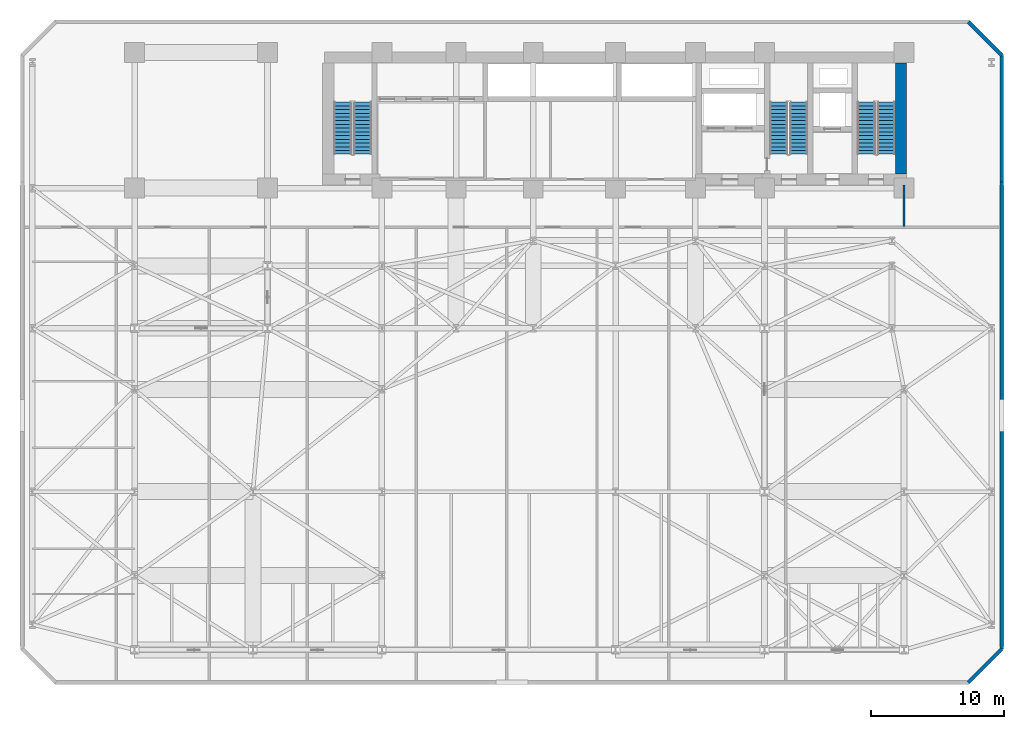
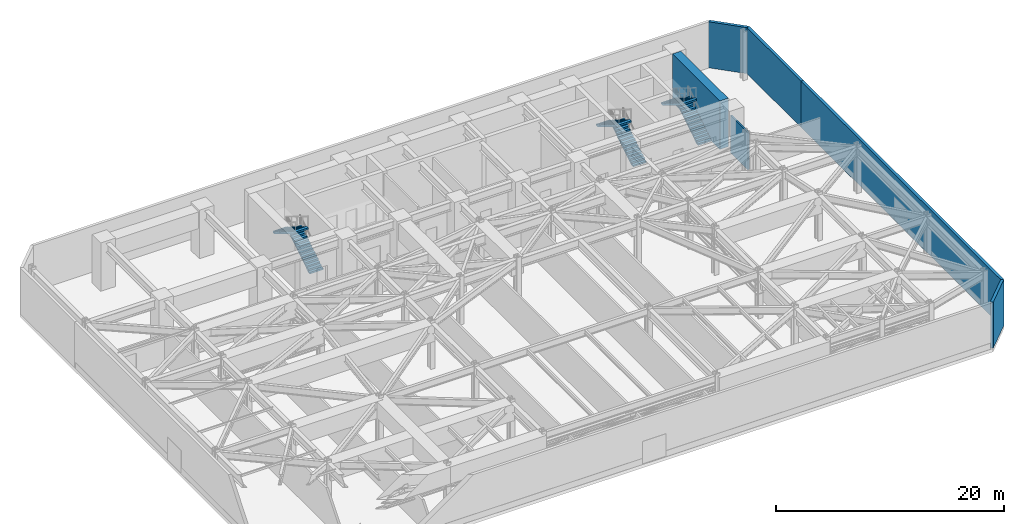
# One storey, part 9 of 14: 6 stair flights, 6 walls, 3 elements without a shape of their own.
"""IFC4 building model written with IfcOpenShell, lengths in metres."""

import ifcopenshell
import ifcopenshell.guid

model = None  # the IFC model being written
_history = None  # IfcOwnerHistory: only IFC2X3 demands one
_inside = {}  # id of a spatial element -> (the spatial element, [elements in it])
_under = {}  # id of a project, library or spatial element -> (it, [spatial elements below it])
_declared = {}  # id of a project -> (the project, [libraries it declares])
_typed = {}  # id of a type object -> (the type object, [elements of that type])
_made_of = {}  # id of a material, layer set ... -> (it, [elements and type objects made of it])


def new_model(schema):
    """Start an empty IFC model of exactly this schema.

    Asked for "IFC4X3", IfcOpenShell would pick the latest addendum, in which some entities
    have other attributes; the version numbers below select the first issue.
    IFC2X3 requires an IfcOwnerHistory on every rooted entity: one is made here for all.
    """
    global model, _history
    if schema == "IFC4X3":
        model = ifcopenshell.file(schema_version=(4, 3, 0, 0))
    else:
        model = ifcopenshell.file(schema=schema)
    _inside.clear()
    _under.clear()
    _declared.clear()
    _typed.clear()
    _made_of.clear()
    _history = None
    if model.schema == "IFC2X3":
        org = make("IfcOrganization", Name="unknown")
        user = make(
            "IfcPersonAndOrganization",
            ThePerson=make("IfcPerson", FamilyName="unknown"),
            TheOrganization=org,
        )
        app = make(
            "IfcApplication",
            ApplicationDeveloper=org,
            Version="unknown",
            ApplicationFullName="unknown",
            ApplicationIdentifier="unknown",
        )
        _history = make(
            "IfcOwnerHistory",
            OwningUser=user,
            OwningApplication=app,
            ChangeAction="ADDED",
            CreationDate=0,
        )
    return model


def make(cls, **values):
    """One entity of the class cls with the attributes given. An attribute that is None is left unset."""
    return model.create_entity(
        cls, **{name: value for name, value in values.items() if value is not None}
    )


def rooted(cls, **values):
    """An entity with a GlobalId (a new one), such as an element, a storey or a relation."""
    return make(cls, GlobalId=ifcopenshell.guid.new(), OwnerHistory=_history, **values)


def si_unit(unit_type, name, prefix=None):
    """IfcSIUnit, for example si_unit("LENGTHUNIT", "METRE", prefix="MILLI")."""
    return make("IfcSIUnit", UnitType=unit_type, Prefix=prefix, Name=name)


def assignment(units):
    """IfcUnitAssignment: the units of a project."""
    return None if units is None else make("IfcUnitAssignment", Units=units)


def point(xyz):
    """IfcCartesianPoint."""
    return None if xyz is None else make("IfcCartesianPoint", Coordinates=xyz)


def direction(xyz):
    """IfcDirection."""
    return None if xyz is None else make("IfcDirection", DirectionRatios=xyz)


def frame(location, z_axis=None, x_axis=None):
    """IfcAxis2Placement3D, a coordinate frame: its origin and axes. An axis left out is left unset."""
    return make(
        "IfcAxis2Placement3D",
        Location=point(location),
        Axis=direction(z_axis),
        RefDirection=direction(x_axis),
    )


def frame_2d(location, x_axis=None):
    """IfcAxis2Placement2D, a coordinate frame in the plane: its origin and x axis."""
    return make(
        "IfcAxis2Placement2D", Location=point(location), RefDirection=direction(x_axis)
    )


def origin():
    """The frame at (0, 0, 0) with its axes left unset."""
    return frame((0.0, 0.0, 0.0))


def place(relative_to, where):
    """IfcLocalPlacement: puts the frame where relative to a parent placement (None: the world)."""
    return make(
        "IfcLocalPlacement", PlacementRelTo=relative_to, RelativePlacement=where
    )


def context(
    kind, dimensions, precision=None, world=None, true_north=None, identifier=None
):
    """IfcGeometricRepresentationContext, for example the 3D "Model" context."""
    return make(
        "IfcGeometricRepresentationContext",
        ContextIdentifier=identifier,
        ContextType=kind,
        CoordinateSpaceDimension=dimensions,
        Precision=precision,
        WorldCoordinateSystem=world,
        TrueNorth=true_north,
    )


def subcontext(parent, identifier, kind, view, scale=None):
    """IfcGeometricRepresentationSubContext, for example "Body" below "Model"."""
    return make(
        "IfcGeometricRepresentationSubContext",
        ContextIdentifier=identifier,
        ContextType=kind,
        ParentContext=parent,
        TargetScale=scale,
        TargetView=view,
    )


def project(units=None, contexts=None):
    """IfcProject with its units and contexts."""
    return rooted(
        "IfcProject",
        Name="project",
        RepresentationContexts=contexts,
        UnitsInContext=assignment(units),
    )


def spatial(cls, under=None, at=None, **own):
    """A site, building, storey or space (cls), placed at a placement, below another one or the project."""
    s = rooted(cls, ObjectPlacement=at, **own)
    if under is not None:
        _under.setdefault(under.id(), (under, []))[1].append(s)
    return s


def polyline(points):
    """IfcPolyline through the points."""
    return make("IfcPolyline", Points=[point(p) for p in points])


def profile(cls, at=None, kind="AREA", **sizes):
    """A parametric profile (cls). Its sizes go by their IFC names, for example OverallWidth=200.0."""
    return make(cls, ProfileType=kind, Position=at, **sizes)


def rectangle(**sizes):
    """IfcRectangleProfileDef."""
    return profile("IfcRectangleProfileDef", **sizes)


def outline(outer, holes=None, kind="AREA"):
    """IfcArbitraryClosedProfileDef: a profile drawn as a closed curve; with holes, ...WithVoids."""
    if holes is None:
        return make("IfcArbitraryClosedProfileDef", ProfileType=kind, OuterCurve=outer)
    return make(
        "IfcArbitraryProfileDefWithVoids",
        ProfileType=kind,
        OuterCurve=outer,
        InnerCurves=holes,
    )


def extrude(swept, where, along, depth):
    """IfcExtrudedAreaSolid: the profile swept, set in the frame where, extruded along a direction by depth."""
    return make(
        "IfcExtrudedAreaSolid",
        SweptArea=swept,
        Position=where,
        ExtrudedDirection=direction(along),
        Depth=depth,
    )


def shape(context_of_items, identifier, shape_type, items):
    """IfcShapeRepresentation: the items that make up one representation, for example the "Body"."""
    return make(
        "IfcShapeRepresentation",
        ContextOfItems=context_of_items,
        RepresentationIdentifier=identifier,
        RepresentationType=shape_type,
        Items=items,
    )


def material(Name=None, Category=None):
    """IfcMaterial."""
    return make("IfcMaterial", Name=Name, Category=Category)


def layer(
    of_material, thickness, ventilated=None, Name=None, Category=None, Priority=None
):
    """IfcMaterialLayer: one layer of a wall or slab, of a material (None: an air gap)."""
    return make(
        "IfcMaterialLayer",
        Material=of_material,
        LayerThickness=thickness,
        IsVentilated=ventilated,
        Name=Name,
        Category=Category,
        Priority=Priority,
    )


def layer_set(layers, Name=None):
    """IfcMaterialLayerSet."""
    return make("IfcMaterialLayerSet", MaterialLayers=layers, LayerSetName=Name)


def made_of(thing, what):
    """Note that an element or type object is made of a material, layer set ...; save() writes the relation."""
    if what is not None:
        _made_of.setdefault(what.id(), (what, []))[1].append(thing)
    return thing


def type_object(cls, material=None, **own):
    """A type object (cls), such as IfcWallType, which elements share."""
    return made_of(rooted(cls, **own), material)


def element(
    cls,
    number,
    at=None,
    inside=None,
    cuts=None,
    type_object=None,
    material=None,
    context=None,
    identifier="Body",
    shape_type=None,
    held_by="IfcProductDefinitionShape",
    body=None,
    shapes=None,
    **own,
):
    """One element of the class cls, such as IfcWall. Its Tag is "e" and its number.

    at: its placement. inside: the storey or other place that contains it. cuts: it is an
    opening in that element (IfcRelVoidsElement). A single representation is given by context,
    identifier, shape_type and body (its items); several are given by shapes. held_by: the class
    of the entity that holds the representations. save() writes the other relations.
    """
    e = rooted(cls, Tag="e%d" % number, ObjectPlacement=at, **own)
    if body is not None:
        shapes = [shape(context, identifier, shape_type, body)]
    if shapes is not None:
        e.Representation = make(held_by, Representations=shapes)
    if inside is not None:
        _inside.setdefault(inside.id(), (inside, []))[1].append(e)
    if cuts is not None:
        rooted(
            "IfcRelVoidsElement", RelatingBuildingElement=cuts, RelatedOpeningElement=e
        )
    if type_object is not None:
        _typed.setdefault(type_object.id(), (type_object, []))[1].append(e)
    return made_of(e, material)


def aggregate(whole, parts):
    """IfcRelAggregates: a whole, such as a stair, and the parts it consists of."""
    return rooted("IfcRelAggregates", RelatingObject=whole, RelatedObjects=parts)


def save(model, path):
    """Write the relations noted so far, then the file.

    IfcRelAggregates (storeys below a building ...), IfcRelContainedInSpatialStructure (elements
    in a storey), IfcRelDefinesByType, IfcRelAssociatesMaterial and IfcRelDeclares: one each for
    every whole, place, type object, material and project.
    """
    for whole, parts in _under.values():
        aggregate(whole, parts)
    for where, things in _inside.values():
        rooted(
            "IfcRelContainedInSpatialStructure",
            RelatedElements=things,
            RelatingStructure=where,
        )
    for kind, things in _typed.values():
        rooted("IfcRelDefinesByType", RelatedObjects=things, RelatingType=kind)
    for what, things in _made_of.values():
        rooted("IfcRelAssociatesMaterial", RelatedObjects=things, RelatingMaterial=what)
    for by, libraries in _declared.values():
        rooted("IfcRelDeclares", RelatingContext=by, RelatedDefinitions=libraries)
    model.write(path)


model = new_model("IFC4")

# Units and contexts
model_context = context("Model", 3, precision=1e-05, world=origin(), true_north=direction((0.0, 1.0)))
body_context = subcontext(model_context, "Body", "Model", "MODEL_VIEW")
ifc_project = project(units=[si_unit("LENGTHUNIT", "METRE"), si_unit("AREAUNIT", "SQUARE_METRE"), si_unit("VOLUMEUNIT", "CUBIC_METRE"), si_unit("PLANEANGLEUNIT", "RADIAN"), si_unit("MASSUNIT", "GRAM", prefix="KILO")], contexts=[model_context])

# Site, building, storey
site_placement = place(None, origin())
site = spatial("IfcSite", under=ifc_project, at=site_placement, CompositionType="ELEMENT")
building_placement = place(site_placement, origin())
building = spatial("IfcBuilding", under=site, at=building_placement, Name="Kravanh Interchange Tower", CompositionType="ELEMENT")
storey_placement = place(building_placement, frame((0.0, 0.0, 24.300048828125)))
storey = spatial("IfcBuildingStorey", under=building, at=storey_placement, Name="L05", CompositionType="ELEMENT", Elevation=24.300048828125)

# Walls
ifc_material_1 = material(Name="Concrete C80/95", Category="concrete")
ifc_layer_1 = layer(ifc_material_1, 0.85009765625)
ifc_layer_set_1 = layer_set([ifc_layer_1], Name="Core Shear Wall Concrete C80/95 850mm")
wall_type_1 = type_object("IfcWallType", Name="Core Shear Wall Concrete C80/95 850mm", PredefinedType="SHEAR", material=ifc_layer_set_1)
wall_1_placement = place(storey_placement, frame((66.27490234375, 38.425048828125, 0.0), z_axis=(0.0, 0.0, 1.0), x_axis=(0.0, 1.0, 0.0)))
element("IfcWall", 1, at=wall_1_placement, inside=storey, type_object=wall_type_1, Name="L05 Stair ST1 East Shear Wall", PredefinedType="SHEAR", context=body_context, shape_type="SweptSolid", body=[
    extrude(rectangle(XDim=8.324951171875, YDim=0.85009765625, at=frame_2d((4.16259765625, 0.0))), origin(), (0.0, 0.0, 1.0), 5.199951171875),
])
ifc_material_2 = material(Name="Insulated Precast Concrete C40/50 with Bronze Cladding", Category="concrete")
ifc_layer_2 = layer(ifc_material_2, 0.280029296875)
ifc_layer_set_2 = layer_set([ifc_layer_2], Name="Exterior Insulated Concrete C40/50 Bronze Spandrel Wall 280mm")
wall_type_2 = type_object("IfcWallType", Name="Exterior Insulated Concrete C40/50 Bronze Spandrel Wall 280mm", PredefinedType="STANDARD", material=ifc_layer_set_2)
wall_2_placement = place(storey_placement, frame((71.342041015625, 49.860107421875, 0.0), z_axis=(0.0, 0.0, 1.0), x_axis=(0.707106781187, -0.707106781187, 0.0)))
element("IfcWall", 2, at=wall_2_placement, inside=storey, type_object=wall_type_2, Name="L05 Exterior Enclosure Wall 5", PredefinedType="STANDARD", context=body_context, shape_type="SweptSolid", body=[
    extrude(rectangle(XDim=3.56103515625, YDim=0.280029296875, at=frame_2d((1.780517578125, 0.0))), origin(), (0.0, 0.0, 1.0), 4.93994140625),
])
wall_3_placement = place(storey_placement, frame((73.860107421875, 47.342041015625, 0.0), z_axis=(0.0, 0.0, 1.0), x_axis=(0.0, -1.0, 0.0)))
element("IfcWall", 3, at=wall_3_placement, inside=storey, type_object=wall_type_2, Name="L05 Exterior Enclosure Wall 6", PredefinedType="STANDARD", context=body_context, shape_type="SweptSolid", body=[
    extrude(rectangle(XDim=9.5419921875, YDim=0.280029296875, at=frame_2d((4.77099609375, 0.0))), origin(), (0.0, 0.0, 1.0), 4.93994140625),
])
wall_4_placement = place(storey_placement, frame((73.860107421875, 37.800048828125, 0.0), z_axis=(0.0, 0.0, 1.0), x_axis=(0.0, -1.0, 0.0)))
element("IfcWall", 4, at=wall_4_placement, inside=storey, type_object=wall_type_2, Name="L05 Exterior Enclosure Wall 7", PredefinedType="STANDARD", context=body_context, shape_type="SweptSolid", body=[
    extrude(rectangle(XDim=35.14208984375, YDim=0.280029296875, at=frame_2d((17.571044921875, 0.0))), origin(), (0.0, 0.0, 1.0), 4.93994140625),
])
wall_5_placement = place(storey_placement, frame((73.860107421875, 2.657958984375, 0.0), z_axis=(0.0, 0.0, 1.0), x_axis=(-0.707106781187, -0.707106781187, 0.0)))
element("IfcWall", 5, at=wall_5_placement, inside=storey, type_object=wall_type_2, Name="L05 Exterior Enclosure Wall 8", PredefinedType="STANDARD", context=body_context, shape_type="SweptSolid", body=[
    extrude(rectangle(XDim=3.56103515625, YDim=0.280029296875, at=frame_2d((1.780517578125, 0.0))), origin(), (0.0, 0.0, 1.0), 4.93994140625),
])
ifc_material_3 = material(Name="Autoclaved Aerated Concrete C30/37 Blockwork", Category="masonry")
ifc_layer_3 = layer(ifc_material_3, 0.179931640625)
ifc_layer_set_3 = layer_set([ifc_layer_3], Name="Fire-Rated Lobby and Corridor Wall Concrete C30/37 180mm")
wall_type_3 = type_object("IfcWallType", Name="Fire-Rated Lobby and Corridor Wall Concrete C30/37 180mm", PredefinedType="STANDARD", material=ifc_layer_set_3)
wall_6_placement = place(storey_placement, frame((66.5, 34.468017578125, 0.0), z_axis=(0.0, 0.0, 1.0), x_axis=(0.0, 1.0, 0.0)))
element("IfcWall", 6, at=wall_6_placement, inside=storey, type_object=wall_type_3, Name="L05 Interior Partition 7", PredefinedType="STANDARD", context=body_context, shape_type="SweptSolid", body=[
    extrude(rectangle(XDim=3.098876953125, YDim=0.179931640625, at=frame_2d((1.54931640625, 0.0))), origin(), (0.0, 0.0, 1.0), 3.991943359375),
])

# Stair, stair flights
ifc_material_4 = material(Name="Concrete C50/60", Category="concrete")
stair_type = type_object("IfcStairType", Name="Core Fire Exit Dogleg Stair Concrete C50/60", PredefinedType="HALF_TURN_STAIR", material=ifc_material_4)
stair_1_placement = place(storey_placement, origin())
stair_1 = element("IfcStair", 7, at=stair_1_placement, inside=storey, type_object=stair_type, Name="L05 Exit Stair ST1", PredefinedType="HALF_TURN_STAIR")
ifc_material_5 = material(Name="Precast Concrete C50/60", Category="concrete")
ifc_layer_4 = layer(ifc_material_5, 0.199951171875)
ifc_layer_set_4 = layer_set([ifc_layer_4], Name="Precast Concrete C50/60 Stair Flight 1350mm")
stair_flight_type = type_object("IfcStairFlightType", Name="Precast Concrete C50/60 Stair Flight 1350mm", PredefinedType="STRAIGHT", material=ifc_layer_set_4)
stair_flight_1_placement = place(storey_placement, frame((65.175048828125, 39.89990234375, 0.0), z_axis=(0.0, 0.0, 1.0), x_axis=(0.0, 1.0, 0.0)))
stair_flight_1 = element("IfcStairFlight", 8, at=stair_flight_1_placement, type_object=stair_flight_type, Name="ST1 flight 1", NumberOfRisers=15, NumberOfTreads=14, PredefinedType="STRAIGHT", RiserHeight=0.173333333, TreadLength=0.28, context=body_context, shape_type="SweptSolid", body=[
    extrude(outline(polyline([(0.0, 0.0), (0.0, 0.17333984375), (0.280029296875, 0.17333984375), (0.280029296875, 0.3466796875), (0.56005859375, 0.3466796875), (0.56005859375, 0.52001953125), (0.840087890625, 0.52001953125), (0.840087890625, 0.693359375), (1.1201171875, 0.693359375), (1.1201171875, 0.86669921875), (1.39990234375, 0.86669921875), (1.39990234375, 1.0400390625), (1.679931640625, 1.0400390625), (1.679931640625, 1.21337890625), (1.9599609375, 1.21337890625), (1.9599609375, 1.38671875), (2.239990234375, 1.38671875), (2.239990234375, 1.56005859375), (2.52001953125, 1.56005859375), (2.52001953125, 1.7333984375), (2.800048828125, 1.7333984375), (2.800048828125, 1.90673828125), (3.080078125, 1.90673828125), (3.080078125, 2.080078125), (3.360107421875, 2.080078125), (3.360107421875, 2.25341796875), (3.639892578125, 2.25341796875), (3.639892578125, 2.4267578125), (3.919921875, 2.4267578125), (3.919921875, 2.60009765625), (3.919921875, 2.250244140625), (0.284912109375, 0.0), (0.0, 0.0)])), frame((0.0, 0.675048828125, 0.0), z_axis=(0.0, -1.0, 0.0), x_axis=(1.0, 0.0, 0.0)), (0.0, 0.0, 1.0), 1.35009765625),
])
stair_flight_2_placement = place(storey_placement, frame((63.675048828125, 43.820068359375, 2.599853515625), z_axis=(0.0, 0.0, 1.0), x_axis=(0.0, -1.0, 0.0)))
stair_flight_2 = element("IfcStairFlight", 9, at=stair_flight_2_placement, type_object=stair_flight_type, Name="ST1 flight 2", NumberOfRisers=15, NumberOfTreads=14, PredefinedType="STRAIGHT", RiserHeight=0.173333333, TreadLength=0.28, context=body_context, shape_type="SweptSolid", body=[
    extrude(outline(polyline([(0.0, 0.0), (0.0, 0.17333984375), (0.280029296875, 0.17333984375), (0.280029296875, 0.3466796875), (0.56005859375, 0.3466796875), (0.56005859375, 0.52001953125), (0.840087890625, 0.52001953125), (0.840087890625, 0.693359375), (1.1201171875, 0.693359375), (1.1201171875, 0.86669921875), (1.39990234375, 0.86669921875), (1.39990234375, 1.0400390625), (1.679931640625, 1.0400390625), (1.679931640625, 1.21337890625), (1.9599609375, 1.21337890625), (1.9599609375, 1.38671875), (2.239990234375, 1.38671875), (2.239990234375, 1.56005859375), (2.52001953125, 1.56005859375), (2.52001953125, 1.7333984375), (2.800048828125, 1.7333984375), (2.800048828125, 1.90673828125), (3.080078125, 1.90673828125), (3.080078125, 2.080078125), (3.360107421875, 2.080078125), (3.360107421875, 2.25341796875), (3.639892578125, 2.25341796875), (3.639892578125, 2.4267578125), (3.919921875, 2.4267578125), (3.919921875, 2.60009765625), (3.919921875, 2.250244140625), (0.284912109375, 0.0), (0.0, 0.0)])), frame((0.0, 0.675048828125, 0.0), z_axis=(0.0, -1.0, 0.0), x_axis=(1.0, 0.0, 0.0)), (0.0, 0.0, 1.0), 1.35009765625),
])
aggregate(stair_1, [stair_flight_1, stair_flight_2])

stair_2_placement = place(storey_placement, origin())
stair_2 = element("IfcStair", 10, at=stair_2_placement, inside=storey, type_object=stair_type, Name="L05 Exit Stair ST2", PredefinedType="HALF_TURN_STAIR")
stair_flight_3_placement = place(storey_placement, frame((58.574951171875, 39.89990234375, 0.0), z_axis=(0.0, 0.0, 1.0), x_axis=(0.0, 1.0, 0.0)))
stair_flight_3 = element("IfcStairFlight", 11, at=stair_flight_3_placement, type_object=stair_flight_type, Name="ST2 flight 1", NumberOfRisers=15, NumberOfTreads=14, PredefinedType="STRAIGHT", RiserHeight=0.173333333, TreadLength=0.28, context=body_context, shape_type="SweptSolid", body=[
    extrude(outline(polyline([(0.0, 0.0), (0.0, 0.17333984375), (0.280029296875, 0.17333984375), (0.280029296875, 0.3466796875), (0.56005859375, 0.3466796875), (0.56005859375, 0.52001953125), (0.840087890625, 0.52001953125), (0.840087890625, 0.693359375), (1.1201171875, 0.693359375), (1.1201171875, 0.86669921875), (1.39990234375, 0.86669921875), (1.39990234375, 1.0400390625), (1.679931640625, 1.0400390625), (1.679931640625, 1.21337890625), (1.9599609375, 1.21337890625), (1.9599609375, 1.38671875), (2.239990234375, 1.38671875), (2.239990234375, 1.56005859375), (2.52001953125, 1.56005859375), (2.52001953125, 1.7333984375), (2.800048828125, 1.7333984375), (2.800048828125, 1.90673828125), (3.080078125, 1.90673828125), (3.080078125, 2.080078125), (3.360107421875, 2.080078125), (3.360107421875, 2.25341796875), (3.639892578125, 2.25341796875), (3.639892578125, 2.4267578125), (3.919921875, 2.4267578125), (3.919921875, 2.60009765625), (3.919921875, 2.250244140625), (0.284912109375, 0.0), (0.0, 0.0)])), frame((0.0, 0.675048828125, 0.0), z_axis=(0.0, -1.0, 0.0), x_axis=(1.0, 0.0, 0.0)), (0.0, 0.0, 1.0), 1.35009765625),
])
stair_flight_4_placement = place(storey_placement, frame((57.074951171875, 43.820068359375, 2.599853515625), z_axis=(0.0, 0.0, 1.0), x_axis=(0.0, -1.0, 0.0)))
stair_flight_4 = element("IfcStairFlight", 12, at=stair_flight_4_placement, type_object=stair_flight_type, Name="ST2 flight 2", NumberOfRisers=15, NumberOfTreads=14, PredefinedType="STRAIGHT", RiserHeight=0.173333333, TreadLength=0.28, context=body_context, shape_type="SweptSolid", body=[
    extrude(outline(polyline([(0.0, 0.0), (0.0, 0.17333984375), (0.280029296875, 0.17333984375), (0.280029296875, 0.3466796875), (0.56005859375, 0.3466796875), (0.56005859375, 0.52001953125), (0.840087890625, 0.52001953125), (0.840087890625, 0.693359375), (1.1201171875, 0.693359375), (1.1201171875, 0.86669921875), (1.39990234375, 0.86669921875), (1.39990234375, 1.0400390625), (1.679931640625, 1.0400390625), (1.679931640625, 1.21337890625), (1.9599609375, 1.21337890625), (1.9599609375, 1.38671875), (2.239990234375, 1.38671875), (2.239990234375, 1.56005859375), (2.52001953125, 1.56005859375), (2.52001953125, 1.7333984375), (2.800048828125, 1.7333984375), (2.800048828125, 1.90673828125), (3.080078125, 1.90673828125), (3.080078125, 2.080078125), (3.360107421875, 2.080078125), (3.360107421875, 2.25341796875), (3.639892578125, 2.25341796875), (3.639892578125, 2.4267578125), (3.919921875, 2.4267578125), (3.919921875, 2.60009765625), (3.919921875, 2.250244140625), (0.284912109375, 0.0), (0.0, 0.0)])), frame((0.0, 0.675048828125, 0.0), z_axis=(0.0, -1.0, 0.0), x_axis=(1.0, 0.0, 0.0)), (0.0, 0.0, 1.0), 1.35009765625),
])
aggregate(stair_2, [stair_flight_3, stair_flight_4])

stair_3_placement = place(storey_placement, origin())
stair_3 = element("IfcStair", 13, at=stair_3_placement, inside=storey, type_object=stair_type, Name="L05 Exit Stair ST3", PredefinedType="HALF_TURN_STAIR")
stair_flight_5_placement = place(storey_placement, frame((25.77490234375, 39.89990234375, 0.0), z_axis=(0.0, 0.0, 1.0), x_axis=(0.0, 1.0, 0.0)))
stair_flight_5 = element("IfcStairFlight", 14, at=stair_flight_5_placement, type_object=stair_flight_type, Name="ST3 flight 1", NumberOfRisers=15, NumberOfTreads=14, PredefinedType="STRAIGHT", RiserHeight=0.173333333, TreadLength=0.28, context=body_context, shape_type="SweptSolid", body=[
    extrude(outline(polyline([(0.0, 0.0), (0.0, 0.17333984375), (0.280029296875, 0.17333984375), (0.280029296875, 0.3466796875), (0.56005859375, 0.3466796875), (0.56005859375, 0.52001953125), (0.840087890625, 0.52001953125), (0.840087890625, 0.693359375), (1.1201171875, 0.693359375), (1.1201171875, 0.86669921875), (1.39990234375, 0.86669921875), (1.39990234375, 1.0400390625), (1.679931640625, 1.0400390625), (1.679931640625, 1.21337890625), (1.9599609375, 1.21337890625), (1.9599609375, 1.38671875), (2.239990234375, 1.38671875), (2.239990234375, 1.56005859375), (2.52001953125, 1.56005859375), (2.52001953125, 1.7333984375), (2.800048828125, 1.7333984375), (2.800048828125, 1.90673828125), (3.080078125, 1.90673828125), (3.080078125, 2.080078125), (3.360107421875, 2.080078125), (3.360107421875, 2.25341796875), (3.639892578125, 2.25341796875), (3.639892578125, 2.4267578125), (3.919921875, 2.4267578125), (3.919921875, 2.60009765625), (3.919921875, 2.250244140625), (0.284912109375, 0.0), (0.0, 0.0)])), frame((0.0, 0.675048828125, 0.0), z_axis=(0.0, -1.0, 0.0), x_axis=(1.0, 0.0, 0.0)), (0.0, 0.0, 1.0), 1.35009765625),
])
stair_flight_6_placement = place(storey_placement, frame((24.27490234375, 43.820068359375, 2.599853515625), z_axis=(0.0, 0.0, 1.0), x_axis=(0.0, -1.0, 0.0)))
stair_flight_6 = element("IfcStairFlight", 15, at=stair_flight_6_placement, type_object=stair_flight_type, Name="ST3 flight 2", NumberOfRisers=15, NumberOfTreads=14, PredefinedType="STRAIGHT", RiserHeight=0.173333333, TreadLength=0.28, context=body_context, shape_type="SweptSolid", body=[
    extrude(outline(polyline([(0.0, 0.0), (0.0, 0.17333984375), (0.280029296875, 0.17333984375), (0.280029296875, 0.3466796875), (0.56005859375, 0.3466796875), (0.56005859375, 0.52001953125), (0.840087890625, 0.52001953125), (0.840087890625, 0.693359375), (1.1201171875, 0.693359375), (1.1201171875, 0.86669921875), (1.39990234375, 0.86669921875), (1.39990234375, 1.0400390625), (1.679931640625, 1.0400390625), (1.679931640625, 1.21337890625), (1.9599609375, 1.21337890625), (1.9599609375, 1.38671875), (2.239990234375, 1.38671875), (2.239990234375, 1.56005859375), (2.52001953125, 1.56005859375), (2.52001953125, 1.7333984375), (2.800048828125, 1.7333984375), (2.800048828125, 1.90673828125), (3.080078125, 1.90673828125), (3.080078125, 2.080078125), (3.360107421875, 2.080078125), (3.360107421875, 2.25341796875), (3.639892578125, 2.25341796875), (3.639892578125, 2.4267578125), (3.919921875, 2.4267578125), (3.919921875, 2.60009765625), (3.919921875, 2.250244140625), (0.284912109375, 0.0), (0.0, 0.0)])), frame((0.0, 0.675048828125, 0.0), z_axis=(0.0, -1.0, 0.0), x_axis=(1.0, 0.0, 0.0)), (0.0, 0.0, 1.0), 1.35009765625),
])
aggregate(stair_3, [stair_flight_5, stair_flight_6])

save(model, "model.ifc")
